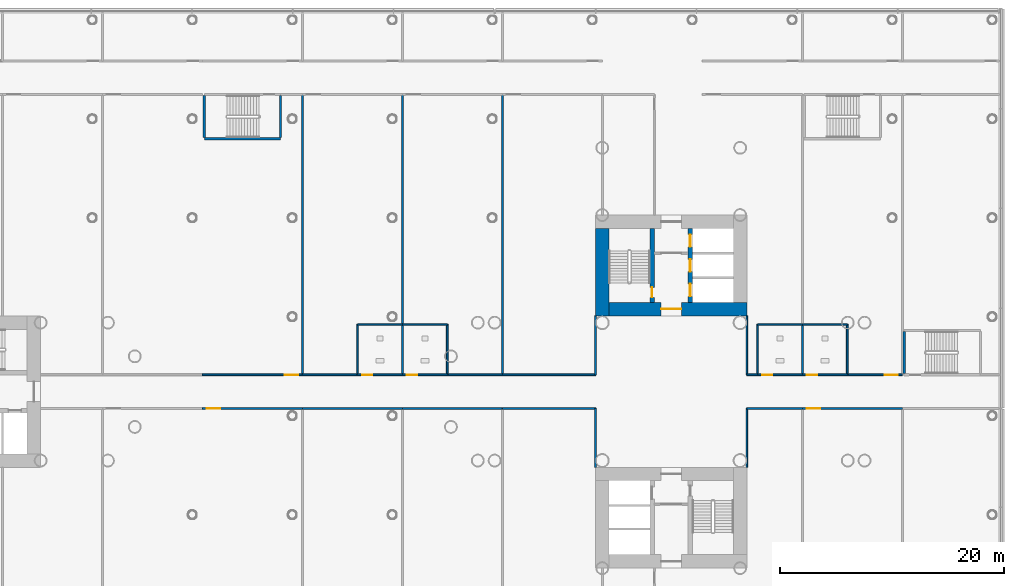
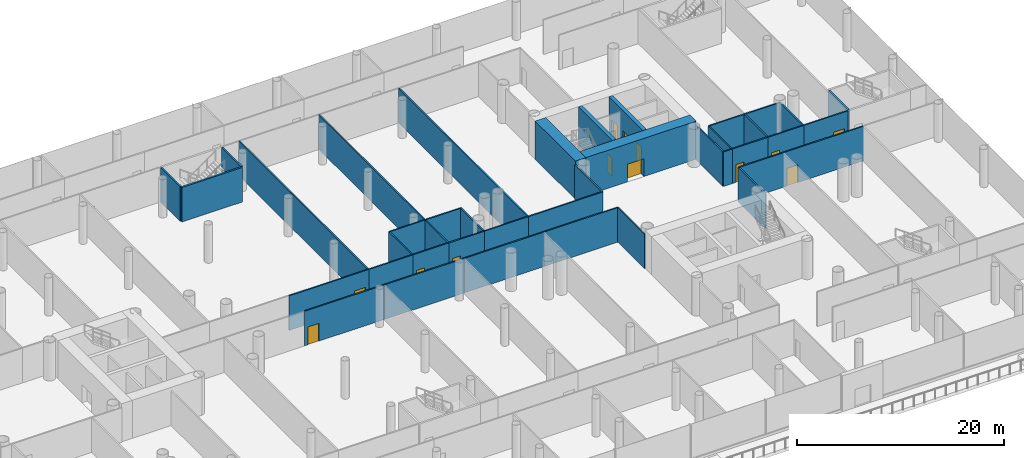
# One storey, part 21 of 49: 41 walls, 13 doors, 13 openings.
"""IFC4 building model written with IfcOpenShell, lengths in metres."""

from ifc_helpers import new_model, si_unit, direction, frame, frame_2d, origin, place, context, subcontext, project, spatial, rectangle, extrude, material, layer, layer_set, type_object, element, fill, save


model = new_model("IFC4")

# Units and contexts
model_context = context("Model", 3, precision=1e-05, world=origin(), true_north=direction((0.0, 1.0)))
body_context = subcontext(model_context, "Body", "Model", "MODEL_VIEW")
ifc_project = project(units=[si_unit("LENGTHUNIT", "METRE"), si_unit("AREAUNIT", "SQUARE_METRE"), si_unit("VOLUMEUNIT", "CUBIC_METRE"), si_unit("PLANEANGLEUNIT", "RADIAN"), si_unit("MASSUNIT", "GRAM", prefix="KILO")], contexts=[model_context])

# Site, building, storey
site_placement = place(None, origin())
site = spatial("IfcSite", under=ifc_project, at=site_placement, CompositionType="ELEMENT")
building_placement = place(site_placement, origin())
building = spatial("IfcBuilding", under=site, at=building_placement, Name="Ipe Terrace Towers", CompositionType="ELEMENT")
storey_placement = place(building_placement, frame((0.0, 0.0, 11.0)))
storey = spatial("IfcBuildingStorey", under=building, at=storey_placement, Name="L02", CompositionType="ELEMENT", Elevation=11.0)

# Wall, opening, door
ifc_material_1 = material(Name="Gypsum board partition", Category="plasterboard")
ifc_layer_1 = layer(ifc_material_1, 0.14990234375)
ifc_layer_set_1 = layer_set([ifc_layer_1], Name="Gypsum board partition 150 mm")
wall_type_1 = type_object("IfcWallType", Name="Gypsum board partition 150 mm", PredefinedType="PARTITIONING", material=ifc_layer_set_1)
wall_1_placement = place(storey_placement, frame((-5.81005859375, -1.5, 0.0), z_axis=(0.0, 0.0, 1.0), x_axis=(1.0, 0.0, 0.0)))
wall_1 = element("IfcWall", 1, at=wall_1_placement, inside=storey, type_object=wall_type_1, Name="Gypsum board partition T2 L02 pd-r30-w4", PredefinedType="PARTITIONING", context=body_context, shape_type="SweptSolid", body=[
    extrude(rectangle(XDim=8.920166015625, YDim=0.14990234375, at=frame_2d((4.4599609375, 0.0))), origin(), (0.0, 0.0, 1.0), 4.080078125),
])
opening_1_placement = place(wall_1_placement, frame((0.39990234375, 0.0, 0.0)))
opening_1 = element("IfcOpeningElement", 2, at=opening_1_placement, cuts=wall_1, Name="Opening PD-L02-r30", PredefinedType="OPENING", context=body_context, shape_type="SweptSolid", body=[
    extrude(rectangle(XDim=1.199951171875, YDim=2.10009765625, at=frame_2d((0.60009765625, 1.050048828125))), frame((0.0, 0.0849609375, 0.0), z_axis=(0.0, -1.0, 0.0), x_axis=(1.0, 0.0, 0.0)), (0.0, 0.0, 1.0), 0.169921875),
])
ifc_material_2 = material(Name="Fire-rated timber door leaf", Category="wood")
door_type_1 = type_object("IfcDoorType", Name="Lounge door 1200 x 2100 FD30S", OperationType="NOTDEFINED", PredefinedType="DOOR", material=ifc_material_2)
door_1_placement = place(opening_1_placement, origin())
door_1 = element("IfcDoor", 3, at=door_1_placement, inside=storey, type_object=door_type_1, Name="Lounge door PD-L02-r30", OperationType="SINGLE_SWING_RIGHT", OverallHeight=2.10009765625, OverallWidth=1.199951171875, PredefinedType="DOOR", context=body_context, shape_type="SweptSolid", body=[
    extrude(rectangle(XDim=1.199951171875, YDim=2.10009765625, at=frame_2d((0.60009765625, 1.050048828125))), frame((0.0, 0.02490234375, 0.0), z_axis=(0.0, -1.0, 0.0), x_axis=(1.0, 0.0, 0.0)), (0.0, 0.0, 1.0), 0.050048828125),
])
fill(opening_1, door_1)

wall_2_placement = place(storey_placement, frame((3.110107421875, 1.5, 0.0), z_axis=(0.0, 0.0, 1.0), x_axis=(-1.0, 0.0, 0.0)))
wall_2 = element("IfcWall", 4, at=wall_2_placement, inside=storey, type_object=wall_type_1, Name="Gypsum board partition T2 L02 pd-r31-w8", PredefinedType="PARTITIONING", context=body_context, shape_type="SweptSolid", body=[
    extrude(rectangle(XDim=8.920166015625, YDim=0.14990234375, at=frame_2d((4.4599609375, 0.0))), origin(), (0.0, 0.0, 1.0), 4.080078125),
])
opening_2_placement = place(wall_2_placement, frame((0.39990234375, 0.0, 0.0)))
opening_2 = element("IfcOpeningElement", 5, at=opening_2_placement, cuts=wall_2, Name="Opening PD-L02-r31", PredefinedType="OPENING", context=body_context, shape_type="SweptSolid", body=[
    extrude(rectangle(XDim=1.199951171875, YDim=2.10009765625, at=frame_2d((0.60009765625, 1.050048828125))), frame((0.0, 0.0849609375, 0.0), z_axis=(0.0, -1.0, 0.0), x_axis=(1.0, 0.0, 0.0)), (0.0, 0.0, 1.0), 0.169921875),
])
door_2_placement = place(opening_2_placement, origin())
door_2 = element("IfcDoor", 6, at=door_2_placement, inside=storey, type_object=door_type_1, Name="Lounge door PD-L02-r31", OperationType="SINGLE_SWING_RIGHT", OverallHeight=2.10009765625, OverallWidth=1.199951171875, PredefinedType="DOOR", context=body_context, shape_type="SweptSolid", body=[
    extrude(rectangle(XDim=1.199951171875, YDim=2.10009765625, at=frame_2d((0.60009765625, 1.050048828125))), frame((0.0, 0.02490234375, 0.0), z_axis=(0.0, -1.0, 0.0), x_axis=(1.0, 0.0, 0.0)), (0.0, 0.0, 1.0), 0.050048828125),
])
fill(opening_2, door_2)

# Walls
wall_3_placement = place(storey_placement, frame((3.110107421875, 26.5, 0.0), z_axis=(0.0, 0.0, 1.0), x_axis=(0.0, -1.0, 0.0)))
element("IfcWall", 7, at=wall_3_placement, inside=storey, type_object=wall_type_1, Name="Gypsum board partition T2 L02 pd-r31-r32-w9", PredefinedType="PARTITIONING", context=body_context, shape_type="SweptSolid", body=[
    extrude(rectangle(XDim=25.0, YDim=0.14990234375, at=frame_2d((12.5, 0.0))), origin(), (0.0, 0.0, 1.0), 4.080078125),
])
wall_4_placement = place(storey_placement, frame((8.030029296875, 1.5, 0.0), z_axis=(0.0, 0.0, 1.0), x_axis=(-1.0, 0.0, 0.0)))
element("IfcWall", 8, at=wall_4_placement, inside=storey, type_object=wall_type_1, Name="Gypsum board partition T2 L02 pd-r32-w10", PredefinedType="PARTITIONING", context=body_context, shape_type="SweptSolid", body=[
    extrude(rectangle(XDim=4.919921875, YDim=0.14990234375, at=frame_2d((2.4599609375, 0.0))), origin(), (0.0, 0.0, 1.0), 4.080078125),
])
wall_5_placement = place(storey_placement, frame((12.030029296875, 26.5, 0.0), z_axis=(0.0, 0.0, 1.0), x_axis=(0.0, -1.0, 0.0)))
element("IfcWall", 9, at=wall_5_placement, inside=storey, type_object=wall_type_1, Name="Gypsum board partition T2 L02 pd-r32-r39-w12", PredefinedType="PARTITIONING", context=body_context, shape_type="SweptSolid", body=[
    extrude(rectangle(XDim=20.5, YDim=0.14990234375, at=frame_2d((10.25, 0.0))), origin(), (0.0, 0.0, 1.0), 4.080078125),
])
for number, where, z_axis, x_axis, name in (
    (10, (3.110107421875, -1.5, 0.0), (0.0, 0.0, 1.0), (1.0, 0.0, 0.0), "Gypsum board partition T2 L02 pd-r34-w16"),
    (11, (12.030029296875, -1.5, 0.0), (0.0, 0.0, 1.0), (1.0, 0.0, 0.0), "Gypsum board partition T2 L02 pd-r37-w23"),
):
    element("IfcWall", number, at=place(storey_placement, frame(where, z_axis=z_axis, x_axis=x_axis)), inside=storey, type_object=wall_type_1, Name=name, PredefinedType="PARTITIONING", context=body_context, shape_type="SweptSolid", body=[
        extrude(rectangle(XDim=8.919921875, YDim=0.14990234375, at=frame_2d((4.4599609375, 0.0))), origin(), (0.0, 0.0, 1.0), 4.080078125),
    ])
wall_6_placement = place(storey_placement, frame((20.949951171875, 1.5, 0.0), z_axis=(0.0, 0.0, 1.0), x_axis=(-1.0, 0.0, 0.0)))
element("IfcWall", 12, at=wall_6_placement, inside=storey, type_object=wall_type_1, Name="Gypsum board partition T2 L02 pd-r39-w28", PredefinedType="PARTITIONING", context=body_context, shape_type="SweptSolid", body=[
    extrude(rectangle(XDim=4.919921875, YDim=0.14990234375, at=frame_2d((2.4599609375, 0.0))), origin(), (0.0, 0.0, 1.0), 4.080078125),
])
wall_7_placement = place(storey_placement, frame((20.949951171875, 26.5, 0.0), z_axis=(0.0, 0.0, 1.0), x_axis=(0.0, -1.0, 0.0)))
element("IfcWall", 13, at=wall_7_placement, inside=storey, type_object=wall_type_1, Name="Gypsum board partition T2 L02 pd-r39-r41-w29", PredefinedType="PARTITIONING", context=body_context, shape_type="SweptSolid", body=[
    extrude(rectangle(XDim=25.0, YDim=0.14990234375, at=frame_2d((12.5, 0.0))), origin(), (0.0, 0.0, 1.0), 4.080078125),
])
wall_8_placement = place(storey_placement, frame((29.25, -1.5, 0.0), z_axis=(0.0, 0.0, 1.0), x_axis=(0.0, -1.0, 0.0)))
element("IfcWall", 14, at=wall_8_placement, inside=storey, type_object=wall_type_1, Name="Gypsum board partition T2 L02 pd-r40-w30", PredefinedType="PARTITIONING", context=body_context, shape_type="SweptSolid", body=[
    extrude(rectangle(XDim=5.25, YDim=0.14990234375, at=frame_2d((2.625, 0.0))), origin(), (0.0, 0.0, 1.0), 4.080078125),
])
wall_9_placement = place(storey_placement, frame((20.949951171875, -1.5, 0.0), z_axis=(0.0, 0.0, 1.0), x_axis=(1.0, 0.0, 0.0)))
element("IfcWall", 15, at=wall_9_placement, inside=storey, type_object=wall_type_1, Name="Gypsum board partition T2 L02 pd-r40-w32", PredefinedType="PARTITIONING", context=body_context, shape_type="SweptSolid", body=[
    extrude(rectangle(XDim=8.300048828125, YDim=0.14990234375, at=frame_2d((4.14990234375, 0.0))), origin(), (0.0, 0.0, 1.0), 4.080078125),
])
wall_10_placement = place(storey_placement, frame((29.25, 6.75, 0.0), z_axis=(0.0, 0.0, 1.0), x_axis=(0.0, -1.0, 0.0)))
element("IfcWall", 16, at=wall_10_placement, inside=storey, type_object=wall_type_1, Name="Gypsum board partition T2 L02 pd-r41-w35", PredefinedType="PARTITIONING", context=body_context, shape_type="SweptSolid", body=[
    extrude(rectangle(XDim=5.25, YDim=0.14990234375, at=frame_2d((2.625, 0.0))), origin(), (0.0, 0.0, 1.0), 4.080078125),
])
wall_11_placement = place(storey_placement, frame((29.25, 1.5, 0.0), z_axis=(0.0, 0.0, 1.0), x_axis=(-1.0, 0.0, 0.0)))
element("IfcWall", 17, at=wall_11_placement, inside=storey, type_object=wall_type_1, Name="Gypsum board partition T2 L02 pd-r41-w36", PredefinedType="PARTITIONING", context=body_context, shape_type="SweptSolid", body=[
    extrude(rectangle(XDim=8.300048828125, YDim=0.14990234375, at=frame_2d((4.14990234375, 0.0))), origin(), (0.0, 0.0, 1.0), 4.080078125),
])
wall_12_placement = place(storey_placement, frame((43.7099609375, 1.5, 0.0), z_axis=(0.0, 0.0, 1.0), x_axis=(-1.0, 0.0, 0.0)))
element("IfcWall", 18, at=wall_12_placement, inside=storey, type_object=wall_type_1, Name="Gypsum board partition T2 L02 pd-r49-w51", PredefinedType="PARTITIONING", context=body_context, shape_type="SweptSolid", body=[
    extrude(rectangle(XDim=0.9599609375, YDim=0.14990234375, at=frame_2d((0.47998046875, 0.0))), origin(), (0.0, 0.0, 1.0), 4.080078125),
])
for number, where, z_axis, x_axis, name in (
    (19, (42.75, 1.5, 0.0), (0.0, 0.0, 1.0), (0.0, 1.0, 0.0), "Gypsum board partition T2 L02 pd-r49-w52"),
    (20, (42.75, -6.75, 0.0), (0.0, 0.0, 1.0), (0.0, 1.0, 0.0), "Gypsum board partition T2 L02 pd-r50-w55"),
):
    element("IfcWall", number, at=place(storey_placement, frame(where, z_axis=z_axis, x_axis=x_axis)), inside=storey, type_object=wall_type_1, Name=name, PredefinedType="PARTITIONING", context=body_context, shape_type="SweptSolid", body=[
        extrude(rectangle(XDim=5.25, YDim=0.14990234375, at=frame_2d((2.625, 0.0))), origin(), (0.0, 0.0, 1.0), 4.080078125),
    ])
wall_13_placement = place(storey_placement, frame((42.75, -1.5, 0.0), z_axis=(0.0, 0.0, 1.0), x_axis=(1.0, 0.0, 0.0)))
element("IfcWall", 21, at=wall_13_placement, inside=storey, type_object=wall_type_1, Name="Gypsum board partition T2 L02 pd-r50-w56", PredefinedType="PARTITIONING", context=body_context, shape_type="SweptSolid", body=[
    extrude(rectangle(XDim=4.9599609375, YDim=0.14990234375, at=frame_2d((2.47998046875, 0.0))), origin(), (0.0, 0.0, 1.0), 4.080078125),
])

# Wall, opening, door
wall_14_placement = place(storey_placement, frame((47.7099609375, -1.5, 0.0), z_axis=(0.0, 0.0, 1.0), x_axis=(1.0, 0.0, 0.0)))
wall_14 = element("IfcWall", 22, at=wall_14_placement, inside=storey, type_object=wall_type_1, Name="Gypsum board partition T2 L02 pd-r53-w64", PredefinedType="PARTITIONING", context=body_context, shape_type="SweptSolid", body=[
    extrude(rectangle(XDim=8.919921875, YDim=0.14990234375, at=frame_2d((4.4599609375, 0.0))), origin(), (0.0, 0.0, 1.0), 4.080078125),
])
opening_3_placement = place(wall_14_placement, frame((0.39990234375, 0.0, 0.0)))
opening_3 = element("IfcOpeningElement", 23, at=opening_3_placement, cuts=wall_14, Name="Opening PD-L02-r53", PredefinedType="OPENING", context=body_context, shape_type="SweptSolid", body=[
    extrude(rectangle(XDim=1.199951171875, YDim=2.10009765625, at=frame_2d((0.60009765625, 1.050048828125))), frame((0.0, 0.0849609375, 0.0), z_axis=(0.0, -1.0, 0.0), x_axis=(1.0, 0.0, 0.0)), (0.0, 0.0, 1.0), 0.169921875),
])
door_3_placement = place(opening_3_placement, origin())
door_3 = element("IfcDoor", 24, at=door_3_placement, inside=storey, type_object=door_type_1, Name="Lounge door PD-L02-r53", OperationType="SINGLE_SWING_RIGHT", OverallHeight=2.10009765625, OverallWidth=1.199951171875, PredefinedType="DOOR", context=body_context, shape_type="SweptSolid", body=[
    extrude(rectangle(XDim=1.199951171875, YDim=2.10009765625, at=frame_2d((0.60009765625, 1.050048828125))), frame((0.0, 0.02490234375, 0.0), z_axis=(0.0, -1.0, 0.0), x_axis=(1.0, 0.0, 0.0)), (0.0, 0.0, 1.0), 0.050048828125),
])
fill(opening_3, door_3)

wall_15_placement = place(storey_placement, frame((56.6298828125, 1.5, 0.0), z_axis=(0.0, 0.0, 1.0), x_axis=(-1.0, 0.0, 0.0)))
wall_15 = element("IfcWall", 25, at=wall_15_placement, inside=storey, type_object=wall_type_1, Name="Gypsum board partition T2 L02 pd-r54-w67", PredefinedType="PARTITIONING", context=body_context, shape_type="SweptSolid", body=[
    extrude(rectangle(XDim=4.919921875, YDim=0.14990234375, at=frame_2d((2.4599609375, 0.0))), origin(), (0.0, 0.0, 1.0), 4.080078125),
])
opening_4_placement = place(wall_15_placement, frame((0.39990234375, 0.0, 0.0)))
opening_4 = element("IfcOpeningElement", 26, at=opening_4_placement, cuts=wall_15, Name="Opening PD-L02-r54", PredefinedType="OPENING", context=body_context, shape_type="SweptSolid", body=[
    extrude(rectangle(XDim=1.199951171875, YDim=2.10009765625, at=frame_2d((0.60009765625, 1.050048828125))), frame((0.0, 0.0849609375, 0.0), z_axis=(0.0, -1.0, 0.0), x_axis=(1.0, 0.0, 0.0)), (0.0, 0.0, 1.0), 0.169921875),
])
door_4_placement = place(opening_4_placement, origin())
door_4 = element("IfcDoor", 27, at=door_4_placement, inside=storey, type_object=door_type_1, Name="Lounge door PD-L02-r54", OperationType="SINGLE_SWING_RIGHT", OverallHeight=2.10009765625, OverallWidth=1.199951171875, PredefinedType="DOOR", context=body_context, shape_type="SweptSolid", body=[
    extrude(rectangle(XDim=1.199951171875, YDim=2.10009765625, at=frame_2d((0.60009765625, 1.050048828125))), frame((0.0, 0.02490234375, 0.0), z_axis=(0.0, -1.0, 0.0), x_axis=(1.0, 0.0, 0.0)), (0.0, 0.0, 1.0), 0.050048828125),
])
fill(opening_4, door_4)

wall_16_placement = place(storey_placement, frame((8.030029296875, 1.5, 0.0), z_axis=(0.0, 0.0, 1.0), x_axis=(1.0, 0.0, 0.0)))
wall_16 = element("IfcWall", 28, at=wall_16_placement, inside=storey, type_object=wall_type_1, Name="Gypsum board partition T2 L02 pd-c1-w75", PredefinedType="PARTITIONING", context=body_context, shape_type="SweptSolid", body=[
    extrude(rectangle(XDim=4.0, YDim=0.14990234375, at=frame_2d((2.0, 0.0))), origin(), (0.0, 0.0, 1.0), 4.080078125),
])
opening_5_placement = place(wall_16_placement, frame((0.39990234375, 0.0, 0.0)))
opening_5 = element("IfcOpeningElement", 29, at=opening_5_placement, cuts=wall_16, Name="Opening PD-L02-c1", PredefinedType="OPENING", context=body_context, shape_type="SweptSolid", body=[
    extrude(rectangle(XDim=0.89990234375, YDim=2.10009765625, at=frame_2d((0.449951171875, 1.050048828125))), frame((0.0, 0.0849609375, 0.0), z_axis=(0.0, -1.0, 0.0), x_axis=(1.0, 0.0, 0.0)), (0.0, 0.0, 1.0), 0.169921875),
])
ifc_material_3 = material(Name="Fire-rated timber door leaf", Category="wood")
door_type_2 = type_object("IfcDoorType", Name="Lounge door 900 x 2100 FD30S", OperationType="NOTDEFINED", PredefinedType="DOOR", material=ifc_material_3)
door_5_placement = place(opening_5_placement, origin())
door_5 = element("IfcDoor", 30, at=door_5_placement, inside=storey, type_object=door_type_2, Name="Lounge door PD-L02-c1", OperationType="SINGLE_SWING_LEFT", OverallHeight=2.10009765625, OverallWidth=0.89990234375, PredefinedType="DOOR", context=body_context, shape_type="SweptSolid", body=[
    extrude(rectangle(XDim=0.89990234375, YDim=2.10009765625, at=frame_2d((0.449951171875, 1.050048828125))), frame((0.0, 0.02490234375, 0.0), z_axis=(0.0, -1.0, 0.0), x_axis=(1.0, 0.0, 0.0)), (0.0, 0.0, 1.0), 0.050048828125),
])
fill(opening_5, door_5)

# Walls
wall_17_placement = place(storey_placement, frame((12.030029296875, 6.0, 0.0), z_axis=(0.0, 0.0, 1.0), x_axis=(-1.0, 0.0, 0.0)))
element("IfcWall", 31, at=wall_17_placement, inside=storey, type_object=wall_type_1, Name="Gypsum board partition T2 L02 pd-c1-r32-w76", PredefinedType="PARTITIONING", context=body_context, shape_type="SweptSolid", body=[
    extrude(rectangle(XDim=4.0, YDim=0.14990234375, at=frame_2d((2.0, 0.0))), origin(), (0.0, 0.0, 1.0), 4.080078125),
])
for number, where, z_axis, x_axis, name in (
    (32, (8.030029296875, 6.0, 0.0), (0.0, 0.0, 1.0), (0.0, -1.0, 0.0), "Gypsum board partition T2 L02 pd-c1-r32-w77"),
    (33, (12.030029296875, 1.5, 0.0), (0.0, 0.0, 1.0), (0.0, 1.0, 0.0), "Gypsum board partition T2 L02 pd-c1-c2-w78"),
):
    element("IfcWall", number, at=place(storey_placement, frame(where, z_axis=z_axis, x_axis=x_axis)), inside=storey, type_object=wall_type_1, Name=name, PredefinedType="PARTITIONING", context=body_context, shape_type="SweptSolid", body=[
        extrude(rectangle(XDim=4.5, YDim=0.14990234375, at=frame_2d((2.25, 0.0))), origin(), (0.0, 0.0, 1.0), 4.080078125),
    ])

# Wall, opening, door
wall_18_placement = place(storey_placement, frame((12.030029296875, 1.5, 0.0), z_axis=(0.0, 0.0, 1.0), x_axis=(1.0, 0.0, 0.0)))
wall_18 = element("IfcWall", 34, at=wall_18_placement, inside=storey, type_object=wall_type_1, Name="Gypsum board partition T2 L02 pd-c2-w79", PredefinedType="PARTITIONING", context=body_context, shape_type="SweptSolid", body=[
    extrude(rectangle(XDim=4.0, YDim=0.14990234375, at=frame_2d((2.0, 0.0))), origin(), (0.0, 0.0, 1.0), 4.080078125),
])
opening_6_placement = place(wall_18_placement, frame((0.39990234375, 0.0, 0.0)))
opening_6 = element("IfcOpeningElement", 35, at=opening_6_placement, cuts=wall_18, Name="Opening PD-L02-c2", PredefinedType="OPENING", context=body_context, shape_type="SweptSolid", body=[
    extrude(rectangle(XDim=0.89990234375, YDim=2.10009765625, at=frame_2d((0.449951171875, 1.050048828125))), frame((0.0, 0.0849609375, 0.0), z_axis=(0.0, -1.0, 0.0), x_axis=(1.0, 0.0, 0.0)), (0.0, 0.0, 1.0), 0.169921875),
])
door_6_placement = place(opening_6_placement, origin())
door_6 = element("IfcDoor", 36, at=door_6_placement, inside=storey, type_object=door_type_2, Name="Lounge door PD-L02-c2", OperationType="SINGLE_SWING_LEFT", OverallHeight=2.10009765625, OverallWidth=0.89990234375, PredefinedType="DOOR", context=body_context, shape_type="SweptSolid", body=[
    extrude(rectangle(XDim=0.89990234375, YDim=2.10009765625, at=frame_2d((0.449951171875, 1.050048828125))), frame((0.0, 0.02490234375, 0.0), z_axis=(0.0, -1.0, 0.0), x_axis=(1.0, 0.0, 0.0)), (0.0, 0.0, 1.0), 0.050048828125),
])
fill(opening_6, door_6)

# Walls
wall_19_placement = place(storey_placement, frame((16.030029296875, 1.5, 0.0), z_axis=(0.0, 0.0, 1.0), x_axis=(0.0, 1.0, 0.0)))
element("IfcWall", 37, at=wall_19_placement, inside=storey, type_object=wall_type_1, Name="Gypsum board partition T2 L02 pd-c2-r39-w80", PredefinedType="PARTITIONING", context=body_context, shape_type="SweptSolid", body=[
    extrude(rectangle(XDim=4.5, YDim=0.14990234375, at=frame_2d((2.25, 0.0))), origin(), (0.0, 0.0, 1.0), 4.080078125),
])
wall_20_placement = place(storey_placement, frame((16.030029296875, 6.0, 0.0), z_axis=(0.0, 0.0, 1.0), x_axis=(-1.0, 0.0, 0.0)))
element("IfcWall", 38, at=wall_20_placement, inside=storey, type_object=wall_type_1, Name="Gypsum board partition T2 L02 pd-c2-r39-w81", PredefinedType="PARTITIONING", context=body_context, shape_type="SweptSolid", body=[
    extrude(rectangle(XDim=4.0, YDim=0.14990234375, at=frame_2d((2.0, 0.0))), origin(), (0.0, 0.0, 1.0), 4.080078125),
])

# Wall, opening, door
wall_21_placement = place(storey_placement, frame((43.7099609375, 1.5, 0.0), z_axis=(0.0, 0.0, 1.0), x_axis=(1.0, 0.0, 0.0)))
wall_21 = element("IfcWall", 39, at=wall_21_placement, inside=storey, type_object=wall_type_1, Name="Gypsum board partition T2 L02 pd-c3-w82", PredefinedType="PARTITIONING", context=body_context, shape_type="SweptSolid", body=[
    extrude(rectangle(XDim=4.0, YDim=0.14990234375, at=frame_2d((2.0, 0.0))), origin(), (0.0, 0.0, 1.0), 4.080078125),
])
opening_7_placement = place(wall_21_placement, frame((0.39990234375, 0.0, 0.0)))
opening_7 = element("IfcOpeningElement", 40, at=opening_7_placement, cuts=wall_21, Name="Opening PD-L02-c3", PredefinedType="OPENING", context=body_context, shape_type="SweptSolid", body=[
    extrude(rectangle(XDim=0.89990234375, YDim=2.10009765625, at=frame_2d((0.449951171875, 1.050048828125))), frame((0.0, 0.0849609375, 0.0), z_axis=(0.0, -1.0, 0.0), x_axis=(1.0, 0.0, 0.0)), (0.0, 0.0, 1.0), 0.169921875),
])
door_7_placement = place(opening_7_placement, origin())
door_7 = element("IfcDoor", 41, at=door_7_placement, inside=storey, type_object=door_type_2, Name="Lounge door PD-L02-c3", OperationType="SINGLE_SWING_LEFT", OverallHeight=2.10009765625, OverallWidth=0.89990234375, PredefinedType="DOOR", context=body_context, shape_type="SweptSolid", body=[
    extrude(rectangle(XDim=0.89990234375, YDim=2.10009765625, at=frame_2d((0.449951171875, 1.050048828125))), frame((0.0, 0.02490234375, 0.0), z_axis=(0.0, -1.0, 0.0), x_axis=(1.0, 0.0, 0.0)), (0.0, 0.0, 1.0), 0.050048828125),
])
fill(opening_7, door_7)

# Walls
wall_22_placement = place(storey_placement, frame((47.7099609375, 6.0, 0.0), z_axis=(0.0, 0.0, 1.0), x_axis=(-1.0, 0.0, 0.0)))
element("IfcWall", 42, at=wall_22_placement, inside=storey, type_object=wall_type_1, Name="Gypsum board partition T2 L02 pd-c3-r49-w83", PredefinedType="PARTITIONING", context=body_context, shape_type="SweptSolid", body=[
    extrude(rectangle(XDim=4.0, YDim=0.14990234375, at=frame_2d((2.0, 0.0))), origin(), (0.0, 0.0, 1.0), 4.080078125),
])
for number, where, z_axis, x_axis, name in (
    (43, (43.7099609375, 6.0, 0.0), (0.0, 0.0, 1.0), (0.0, -1.0, 0.0), "Gypsum board partition T2 L02 pd-c3-r49-w84"),
    (44, (47.7099609375, 1.5, 0.0), (0.0, 0.0, 1.0), (0.0, 1.0, 0.0), "Gypsum board partition T2 L02 pd-c3-c4-w85"),
):
    element("IfcWall", number, at=place(storey_placement, frame(where, z_axis=z_axis, x_axis=x_axis)), inside=storey, type_object=wall_type_1, Name=name, PredefinedType="PARTITIONING", context=body_context, shape_type="SweptSolid", body=[
        extrude(rectangle(XDim=4.5, YDim=0.14990234375, at=frame_2d((2.25, 0.0))), origin(), (0.0, 0.0, 1.0), 4.080078125),
    ])

# Wall, opening, door
wall_23_placement = place(storey_placement, frame((47.7099609375, 1.5, 0.0), z_axis=(0.0, 0.0, 1.0), x_axis=(1.0, 0.0, 0.0)))
wall_23 = element("IfcWall", 45, at=wall_23_placement, inside=storey, type_object=wall_type_1, Name="Gypsum board partition T2 L02 pd-c4-w86", PredefinedType="PARTITIONING", context=body_context, shape_type="SweptSolid", body=[
    extrude(rectangle(XDim=4.0, YDim=0.14990234375, at=frame_2d((2.0, 0.0))), origin(), (0.0, 0.0, 1.0), 4.080078125),
])
opening_8_placement = place(wall_23_placement, frame((0.39990234375, 0.0, 0.0)))
opening_8 = element("IfcOpeningElement", 46, at=opening_8_placement, cuts=wall_23, Name="Opening PD-L02-c4", PredefinedType="OPENING", context=body_context, shape_type="SweptSolid", body=[
    extrude(rectangle(XDim=0.89990234375, YDim=2.10009765625, at=frame_2d((0.449951171875, 1.050048828125))), frame((0.0, 0.0849609375, 0.0), z_axis=(0.0, -1.0, 0.0), x_axis=(1.0, 0.0, 0.0)), (0.0, 0.0, 1.0), 0.169921875),
])
door_8_placement = place(opening_8_placement, origin())
door_8 = element("IfcDoor", 47, at=door_8_placement, inside=storey, type_object=door_type_2, Name="Lounge door PD-L02-c4", OperationType="SINGLE_SWING_LEFT", OverallHeight=2.10009765625, OverallWidth=0.89990234375, PredefinedType="DOOR", context=body_context, shape_type="SweptSolid", body=[
    extrude(rectangle(XDim=0.89990234375, YDim=2.10009765625, at=frame_2d((0.449951171875, 1.050048828125))), frame((0.0, 0.02490234375, 0.0), z_axis=(0.0, -1.0, 0.0), x_axis=(1.0, 0.0, 0.0)), (0.0, 0.0, 1.0), 0.050048828125),
])
fill(opening_8, door_8)

# Walls
wall_24_placement = place(storey_placement, frame((51.7099609375, 1.5, 0.0), z_axis=(0.0, 0.0, 1.0), x_axis=(0.0, 1.0, 0.0)))
element("IfcWall", 48, at=wall_24_placement, inside=storey, type_object=wall_type_1, Name="Gypsum board partition T2 L02 pd-c4-r54-w87", PredefinedType="PARTITIONING", context=body_context, shape_type="SweptSolid", body=[
    extrude(rectangle(XDim=4.5, YDim=0.14990234375, at=frame_2d((2.25, 0.0))), origin(), (0.0, 0.0, 1.0), 4.080078125),
])
wall_25_placement = place(storey_placement, frame((51.7099609375, 6.0, 0.0), z_axis=(0.0, 0.0, 1.0), x_axis=(-1.0, 0.0, 0.0)))
element("IfcWall", 49, at=wall_25_placement, inside=storey, type_object=wall_type_1, Name="Gypsum board partition T2 L02 pd-c4-r54-w88", PredefinedType="PARTITIONING", context=body_context, shape_type="SweptSolid", body=[
    extrude(rectangle(XDim=4.0, YDim=0.14990234375, at=frame_2d((2.0, 0.0))), origin(), (0.0, 0.0, 1.0), 4.080078125),
])

# Wall, opening, door
ifc_material_4 = material(Name="Concrete C60/75", Category="concrete")
ifc_layer_2 = layer(ifc_material_4, 1.199951171875)
ifc_layer_set_2 = layer_set([ifc_layer_2], Name="RW1200 CORE WALL 1200 C60-75")
wall_type_2 = type_object("IfcWallType", Name="RW1200 CORE WALL 1200 C60-75", PredefinedType="SHEAR", material=ifc_layer_set_2)
wall_26_placement = place(storey_placement, frame((30.449951171875, 7.35009765625, 0.0), z_axis=(0.0, 0.0, 1.0), x_axis=(1.0, 0.0, 0.0)))
wall_26 = element("IfcWall", 50, at=wall_26_placement, inside=storey, type_object=wall_type_2, Name="Core wall T2-C1-P-W01", PredefinedType="SHEAR", context=body_context, shape_type="SweptSolid", body=[
    extrude(rectangle(XDim=12.300048828125, YDim=1.199951171875, at=frame_2d((6.14990234375, 0.0))), origin(), (0.0, 0.0, 1.0), 4.5),
])
opening_9_placement = place(wall_26_placement, frame((4.64990234375, 0.0, 0.0)))
opening_9 = element("IfcOpeningElement", 51, at=opening_9_placement, cuts=wall_26, Name="Opening T2C1-ND", PredefinedType="OPENING", context=body_context, shape_type="SweptSolid", body=[
    extrude(rectangle(XDim=1.800048828125, YDim=2.10009765625, at=frame_2d((0.89990234375, 1.050048828125))), frame((0.0, 0.60986328125, 0.0), z_axis=(0.0, -1.0, 0.0), x_axis=(1.0, 0.0, 0.0)), (0.0, 0.0, 1.0), 1.219970703125),
])
ifc_material_5 = material(Name="Fire-rated timber door leaf", Category="wood")
door_type_3 = type_object("IfcDoorType", Name="Fire door 1800 x 2100 FD30S", OperationType="NOTDEFINED", PredefinedType="DOOR", material=ifc_material_5)
door_9_placement = place(opening_9_placement, origin())
door_9 = element("IfcDoor", 52, at=door_9_placement, inside=storey, type_object=door_type_3, Name="Fire door T2C1-ND", OperationType="SINGLE_SWING_LEFT", OverallHeight=2.10009765625, OverallWidth=1.800048828125, PredefinedType="DOOR", context=body_context, shape_type="SweptSolid", body=[
    extrude(rectangle(XDim=1.800048828125, YDim=2.10009765625, at=frame_2d((0.89990234375, 1.050048828125))), frame((0.0, 0.02490234375, 0.0), z_axis=(0.0, -1.0, 0.0), x_axis=(1.0, 0.0, 0.0)), (0.0, 0.0, 1.0), 0.050048828125),
])
fill(opening_9, door_9)

# Walls
wall_27_placement = place(storey_placement, frame((29.85009765625, 14.550048828125, 0.0), z_axis=(0.0, 0.0, 1.0), x_axis=(0.0, -1.0, 0.0)))
element("IfcWall", 53, at=wall_27_placement, inside=storey, type_object=wall_type_2, Name="Core wall T2-C1-P-W04", PredefinedType="SHEAR", context=body_context, shape_type="SweptSolid", body=[
    extrude(rectangle(XDim=7.800048828125, YDim=1.199951171875, at=frame_2d((3.89990234375, 0.0))), origin(), (0.0, 0.0, 1.0), 4.5),
])
ifc_material_6 = material(Name="Concrete C40/50", Category="concrete")
ifc_layer_3 = layer(ifc_material_6, 0.199951171875)
ifc_layer_set_3 = layer_set([ifc_layer_3], Name="RW200 PODIUM STAIR SHAFT WALL 200 C40-50")
wall_type_3 = type_object("IfcWallType", Name="RW200 PODIUM STAIR SHAFT WALL 200 C40-50", PredefinedType="SHEAR", material=ifc_layer_set_3)
wall_28_placement = place(storey_placement, frame((-5.64990234375, 22.550048828125, 0.0), z_axis=(0.0, 0.0, 1.0), x_axis=(1.0, 0.0, 0.0)))
element("IfcWall", 54, at=wall_28_placement, inside=storey, type_object=wall_type_3, Name="Stair shaft wall T1 L02 ps2-f", PredefinedType="SHEAR", context=body_context, shape_type="SweptSolid", body=[
    extrude(rectangle(XDim=6.7998046875, YDim=0.199951171875, at=frame_2d((3.39990234375, 0.0))), origin(), (0.0, 0.0, 1.0), 4.080078125),
])
for number, where, z_axis, x_axis, name in (
    (55, (-5.64990234375, 22.64990234375, 0.0), (0.0, 0.0, 1.0), (0.0, 1.0, 0.0), "Stair shaft wall T1 L02 ps2-w"),
    (56, (1.14990234375, 22.64990234375, 0.0), (0.0, 0.0, 1.0), (0.0, 1.0, 0.0), "Stair shaft wall T1 L02 ps2-e"),
    (57, (56.7900390625, 1.60009765625, 0.0), (0.0, 0.0, 1.0), (0.0, 1.0, 0.0), "Stair shaft wall T2 L02 ps8-w"),
):
    element("IfcWall", number, at=place(storey_placement, frame(where, z_axis=z_axis, x_axis=x_axis)), inside=storey, type_object=wall_type_3, Name=name, PredefinedType="SHEAR", context=body_context, shape_type="SweptSolid", body=[
        extrude(rectangle(XDim=3.75, YDim=0.199951171875, at=frame_2d((1.875, 0.0))), origin(), (0.0, 0.0, 1.0), 4.080078125),
    ])

# Wall, opening, door
ifc_material_7 = material(Name="Concrete C60/75", Category="concrete")
ifc_layer_4 = layer(ifc_material_7, 0.39990234375)
ifc_layer_set_4 = layer_set([ifc_layer_4], Name="RW400 CORE SPINE WALL 400 C60-75")
wall_type_4 = type_object("IfcWallType", Name="RW400 CORE SPINE WALL 400 C60-75", PredefinedType="SHEAR", material=ifc_layer_set_4)
wall_29_placement = place(storey_placement, frame((34.300048828125, 7.949951171875, 0.0), z_axis=(0.0, 0.0, 1.0), x_axis=(0.0, 1.0, 0.0)))
wall_29 = element("IfcWall", 58, at=wall_29_placement, inside=storey, type_object=wall_type_4, Name="Core spine wall T2-C1-P-SW1", PredefinedType="SHEAR", context=body_context, shape_type="SweptSolid", body=[
    extrude(rectangle(XDim=6.60009765625, YDim=0.39990234375, at=frame_2d((3.300048828125, 0.0))), origin(), (0.0, 0.0, 1.0), 4.5),
])
opening_10_placement = place(wall_29_placement, frame((0.449951171875, 0.0, 0.0)))
opening_10 = element("IfcOpeningElement", 59, at=opening_10_placement, cuts=wall_29, Name="Opening T2C1-SD", PredefinedType="OPENING", context=body_context, shape_type="SweptSolid", body=[
    extrude(rectangle(XDim=0.89990234375, YDim=2.10009765625, at=frame_2d((0.449951171875, 1.050048828125))), frame((0.0, 0.2099609375, 0.0), z_axis=(0.0, -1.0, 0.0), x_axis=(1.0, 0.0, 0.0)), (0.0, 0.0, 1.0), 0.419921875),
])
ifc_material_8 = material(Name="Fire-rated timber door leaf", Category="wood")
door_type_4 = type_object("IfcDoorType", Name="Stair door 900 x 2100 FD60", OperationType="NOTDEFINED", PredefinedType="DOOR", material=ifc_material_8)
door_10_placement = place(opening_10_placement, origin())
door_10 = element("IfcDoor", 60, at=door_10_placement, inside=storey, type_object=door_type_4, Name="Stair door T2C1-SD", OperationType="SINGLE_SWING_LEFT", OverallHeight=2.10009765625, OverallWidth=0.89990234375, PredefinedType="DOOR", context=body_context, shape_type="SweptSolid", body=[
    extrude(rectangle(XDim=0.89990234375, YDim=2.10009765625, at=frame_2d((0.449951171875, 1.050048828125))), frame((0.0, 0.02490234375, 0.0), z_axis=(0.0, -1.0, 0.0), x_axis=(1.0, 0.0, 0.0)), (0.0, 0.0, 1.0), 0.050048828125),
])
fill(opening_10, door_10)

# Wall, openings, doors
wall_30_placement = place(storey_placement, frame((37.699951171875, 7.949951171875, 0.0), z_axis=(0.0, 0.0, 1.0), x_axis=(0.0, 1.0, 0.0)))
wall_30 = element("IfcWall", 61, at=wall_30_placement, inside=storey, type_object=wall_type_4, Name="Core spine wall T2-C1-P-SW2", PredefinedType="SHEAR", context=body_context, shape_type="SweptSolid", body=[
    extrude(rectangle(XDim=6.60009765625, YDim=0.39990234375, at=frame_2d((3.300048828125, 0.0))), origin(), (0.0, 0.0, 1.0), 4.5),
])
opening_11_placement = place(wall_30_placement, frame((0.550048828125, 0.0, 0.0)))
opening_11 = element("IfcOpeningElement", 62, at=opening_11_placement, cuts=wall_30, Name="Opening T2C1-LD1", PredefinedType="OPENING", context=body_context, shape_type="SweptSolid", body=[
    extrude(rectangle(XDim=1.10009765625, YDim=2.10009765625, at=frame_2d((0.550048828125, 1.050048828125))), frame((0.0, 0.2099609375, 0.0), z_axis=(0.0, -1.0, 0.0), x_axis=(1.0, 0.0, 0.0)), (0.0, 0.0, 1.0), 0.419921875),
])
opening_12_placement = place(wall_30_placement, frame((2.75, 0.0, 0.0)))
opening_12 = element("IfcOpeningElement", 63, at=opening_12_placement, cuts=wall_30, Name="Opening T2C1-LD2", PredefinedType="OPENING", context=body_context, shape_type="SweptSolid", body=[
    extrude(rectangle(XDim=1.10009765625, YDim=2.10009765625, at=frame_2d((0.550048828125, 1.050048828125))), frame((0.0, 0.2099609375, 0.0), z_axis=(0.0, -1.0, 0.0), x_axis=(1.0, 0.0, 0.0)), (0.0, 0.0, 1.0), 0.419921875),
])
opening_13_placement = place(wall_30_placement, frame((4.949951171875, 0.0, 0.0)))
opening_13 = element("IfcOpeningElement", 64, at=opening_13_placement, cuts=wall_30, Name="Opening T2C1-LD3", PredefinedType="OPENING", context=body_context, shape_type="SweptSolid", body=[
    extrude(rectangle(XDim=1.10009765625, YDim=2.10009765625, at=frame_2d((0.550048828125, 1.050048828125))), frame((0.0, 0.2099609375, 0.0), z_axis=(0.0, -1.0, 0.0), x_axis=(1.0, 0.0, 0.0)), (0.0, 0.0, 1.0), 0.419921875),
])
ifc_material_9 = material(Name="Fire-rated timber door leaf", Category="wood")
door_type_5 = type_object("IfcDoorType", Name="Sliding door 1100 x 2100 FD60", OperationType="SLIDING_TO_LEFT", PredefinedType="DOOR", material=ifc_material_9)
door_11_placement = place(opening_11_placement, origin())
door_11 = element("IfcDoor", 65, at=door_11_placement, inside=storey, type_object=door_type_5, Name="Sliding door T2C1-LD1", OperationType="SLIDING_TO_LEFT", OverallHeight=2.10009765625, OverallWidth=1.10009765625, PredefinedType="DOOR", context=body_context, shape_type="SweptSolid", body=[
    extrude(rectangle(XDim=1.10009765625, YDim=2.10009765625, at=frame_2d((0.550048828125, 1.050048828125))), frame((0.0, 0.02490234375, 0.0), z_axis=(0.0, -1.0, 0.0), x_axis=(1.0, 0.0, 0.0)), (0.0, 0.0, 1.0), 0.050048828125),
])
fill(opening_11, door_11)
door_12_placement = place(opening_12_placement, origin())
door_12 = element("IfcDoor", 66, at=door_12_placement, inside=storey, type_object=door_type_5, Name="Sliding door T2C1-LD2", OperationType="SLIDING_TO_LEFT", OverallHeight=2.10009765625, OverallWidth=1.10009765625, PredefinedType="DOOR", context=body_context, shape_type="SweptSolid", body=[
    extrude(rectangle(XDim=1.10009765625, YDim=2.10009765625, at=frame_2d((0.550048828125, 1.050048828125))), frame((0.0, 0.02490234375, 0.0), z_axis=(0.0, -1.0, 0.0), x_axis=(1.0, 0.0, 0.0)), (0.0, 0.0, 1.0), 0.050048828125),
])
fill(opening_12, door_12)
door_13_placement = place(opening_13_placement, origin())
door_13 = element("IfcDoor", 67, at=door_13_placement, inside=storey, type_object=door_type_5, Name="Sliding door T2C1-LD3", OperationType="SLIDING_TO_LEFT", OverallHeight=2.10009765625, OverallWidth=1.10009765625, PredefinedType="DOOR", context=body_context, shape_type="SweptSolid", body=[
    extrude(rectangle(XDim=1.10009765625, YDim=2.10009765625, at=frame_2d((0.550048828125, 1.050048828125))), frame((0.0, 0.02490234375, 0.0), z_axis=(0.0, -1.0, 0.0), x_axis=(1.0, 0.0, 0.0)), (0.0, 0.0, 1.0), 0.050048828125),
])
fill(opening_13, door_13)

save(model, "model.ifc")
